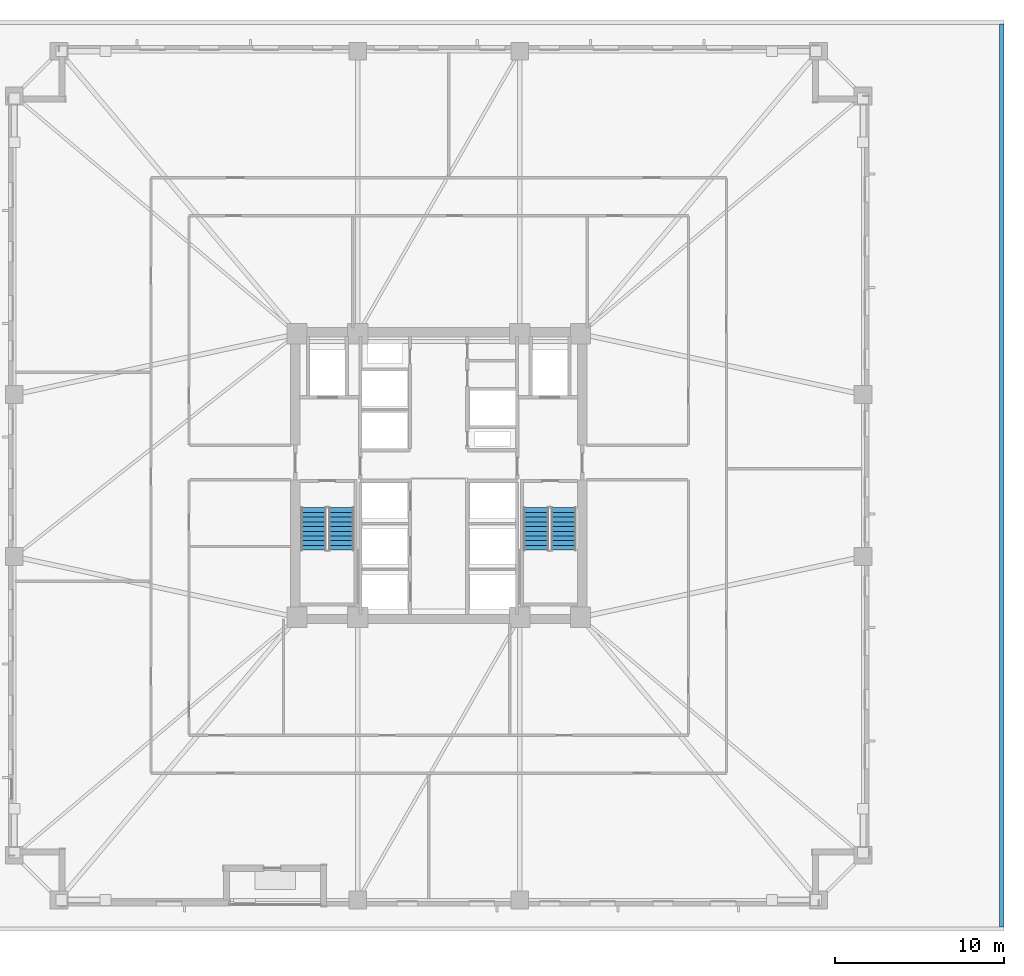
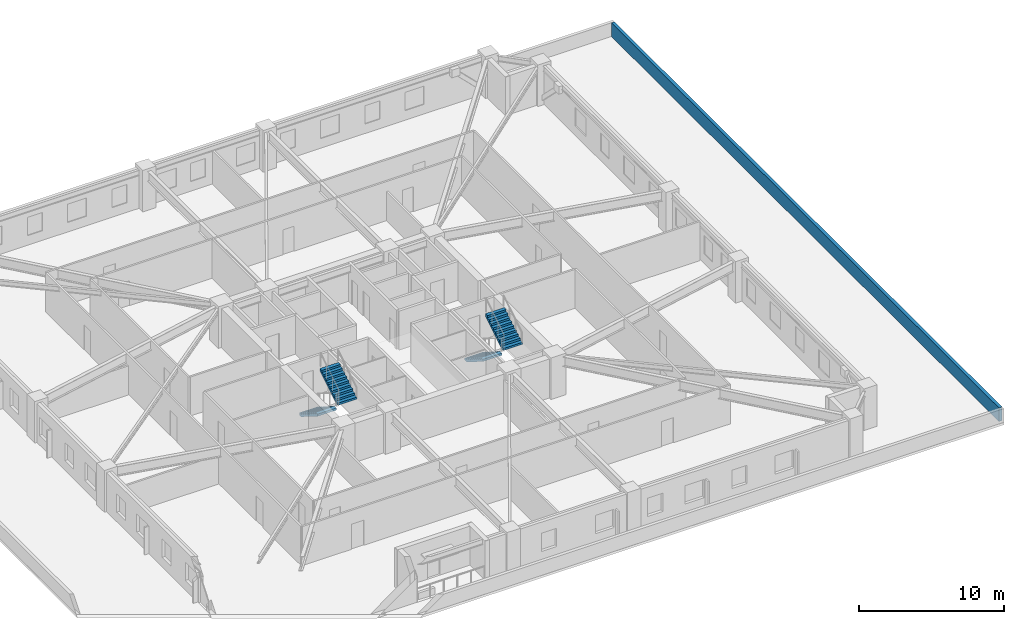
# One storey, part 7 of 12: 4 stair flights, 1 wall, 2 elements without a shape of their own.
"""IFC4 building model written with IfcOpenShell, lengths in metres."""

from ifc_helpers import new_model, si_unit, direction, frame, frame_2d, origin, place, context, subcontext, project, spatial, polyline, rectangle, outline, extrude, material, layer, layer_set, type_object, element, aggregate, save


model = new_model("IFC4")

# Units and contexts
model_context = context("Model", 3, precision=1e-05, world=origin(), true_north=direction((0.0, 1.0)))
body_context = subcontext(model_context, "Body", "Model", "MODEL_VIEW")
ifc_project = project(units=[si_unit("LENGTHUNIT", "METRE"), si_unit("AREAUNIT", "SQUARE_METRE"), si_unit("VOLUMEUNIT", "CUBIC_METRE"), si_unit("PLANEANGLEUNIT", "RADIAN"), si_unit("MASSUNIT", "GRAM", prefix="KILO")], contexts=[model_context])

# Site, building, storey
site_placement = place(None, origin())
site = spatial("IfcSite", under=ifc_project, at=site_placement, CompositionType="ELEMENT")
building_placement = place(site_placement, origin())
building = spatial("IfcBuilding", under=site, at=building_placement, Name="Cairnveth Concourse Tower", CompositionType="ELEMENT")
storey_placement = place(building_placement, frame((0.0, 0.0, 23.5)))
storey = spatial("IfcBuildingStorey", under=building, at=storey_placement, Name="L05", CompositionType="ELEMENT", Elevation=23.5)

# Wall
ifc_material_1 = material(Name="Hawthorn Red-Ochre Fired Clay Brick Masonry", Category="masonry")
ifc_layer = layer(ifc_material_1, 0.25)
ifc_layer_set = layer_set([ifc_layer], Name="Hawthorn Red-Ochre Fired Clay Brick Masonry")
wall_type = type_object("IfcWallType", Name="ROOF MASONRY PARAPET WALL 250", PredefinedType="PARAPET", material=ifc_layer_set)
wall_placement = place(storey_placement, frame((85.3701171875, 65.75, 0.0), z_axis=(0.0, 0.0, 1.0), x_axis=(0.0, -1.0, 0.0)))
element("IfcWall", 1, at=wall_placement, inside=storey, type_object=wall_type, Name="Exterior Wall EP-L05-POD-E", PredefinedType="PARAPET", context=body_context, shape_type="SweptSolid", body=[
    extrude(rectangle(XDim=53.5, YDim=0.25, at=frame_2d((26.75, 0.0))), origin(), (0.0, 0.0, 1.0), 1.14990234375),
])

# Stair, stair flights
ifc_material_2 = material(Name="Precast concrete N50 (50 MPa)", Category="concrete")
stair_type = type_object("IfcStairType", Name="CORE DOG-LEG FIRE STAIR 1500", PredefinedType="HALF_TURN_STAIR", material=ifc_material_2)
stair_1_placement = place(storey_placement, origin())
stair_1 = element("IfcStair", 2, at=stair_1_placement, inside=storey, type_object=stair_type, Name="L05 Fire-Isolated Stair ST-1", PredefinedType="HALF_TURN_STAIR")
stair_flight_type = type_object("IfcStairFlightType", Name="PRECAST CONCRETE STAIR FLIGHT 1500", PredefinedType="STRAIGHT", material=ifc_material_2)
stair_flight_1_placement = place(storey_placement, frame((44.590087890625, 37.10009765625, 0.0), z_axis=(0.0, 0.0, 1.0), x_axis=(0.0, -1.0, 0.0)))
stair_flight_1 = element("IfcStairFlight", 3, at=stair_flight_1_placement, type_object=stair_flight_type, Name="ST-1 flight 1", NumberOfRisers=10, NumberOfTreads=9, PredefinedType="STRAIGHT", RiserHeight=0.175, TreadLength=0.28, context=body_context, shape_type="SweptSolid", body=[
    extrude(outline(polyline([(0.0, 0.0), (0.0, 0.175048828125), (0.280029296875, 0.175048828125), (0.280029296875, 0.35009765625), (0.56005859375, 0.35009765625), (0.56005859375, 0.52490234375), (0.840087890625, 0.52490234375), (0.840087890625, 0.699951171875), (1.1201171875, 0.699951171875), (1.1201171875, 0.875), (1.39990234375, 0.875), (1.39990234375, 1.050048828125), (1.679931640625, 1.050048828125), (1.679931640625, 1.22509765625), (1.9599609375, 1.22509765625), (1.9599609375, 1.39990234375), (2.239990234375, 1.39990234375), (2.239990234375, 1.574951171875), (2.52001953125, 1.574951171875), (2.52001953125, 1.75), (2.52001953125, 1.398193359375), (0.28271484375, 0.0), (0.0, 0.0)])), frame((0.0, 0.75, 0.0), z_axis=(0.0, -1.0, 0.0), x_axis=(1.0, 0.0, 0.0)), (0.0, 0.0, 1.0), 1.5),
])
stair_flight_2_placement = place(storey_placement, frame((46.22998046875, 34.580078125, 1.75), z_axis=(0.0, 0.0, 1.0), x_axis=(0.0, 1.0, 0.0)))
stair_flight_2 = element("IfcStairFlight", 4, at=stair_flight_2_placement, type_object=stair_flight_type, Name="ST-1 flight 2", NumberOfRisers=10, NumberOfTreads=9, PredefinedType="STRAIGHT", RiserHeight=0.175, TreadLength=0.28, context=body_context, shape_type="SweptSolid", body=[
    extrude(outline(polyline([(0.0, 0.0), (0.0, 0.175048828125), (0.280029296875, 0.175048828125), (0.280029296875, 0.35009765625), (0.56005859375, 0.35009765625), (0.56005859375, 0.52490234375), (0.840087890625, 0.52490234375), (0.840087890625, 0.699951171875), (1.1201171875, 0.699951171875), (1.1201171875, 0.875), (1.39990234375, 0.875), (1.39990234375, 1.050048828125), (1.679931640625, 1.050048828125), (1.679931640625, 1.22509765625), (1.9599609375, 1.22509765625), (1.9599609375, 1.39990234375), (2.239990234375, 1.39990234375), (2.239990234375, 1.574951171875), (2.52001953125, 1.574951171875), (2.52001953125, 1.75), (2.52001953125, 1.398193359375), (0.28271484375, 0.0), (0.0, 0.0)])), frame((0.0, 0.75, 0.0), z_axis=(0.0, -1.0, 0.0), x_axis=(1.0, 0.0, 0.0)), (0.0, 0.0, 1.0), 1.5),
])
aggregate(stair_1, [stair_flight_1, stair_flight_2])

stair_2_placement = place(storey_placement, origin())
stair_2 = element("IfcStair", 5, at=stair_2_placement, inside=storey, type_object=stair_type, Name="L05 Fire-Isolated Stair ST-2", PredefinedType="HALF_TURN_STAIR")
stair_flight_3_placement = place(storey_placement, frame((57.77001953125, 37.10009765625, 0.0), z_axis=(0.0, 0.0, 1.0), x_axis=(0.0, -1.0, 0.0)))
stair_flight_3 = element("IfcStairFlight", 6, at=stair_flight_3_placement, type_object=stair_flight_type, Name="ST-2 flight 1", NumberOfRisers=10, NumberOfTreads=9, PredefinedType="STRAIGHT", RiserHeight=0.175, TreadLength=0.28, context=body_context, shape_type="SweptSolid", body=[
    extrude(outline(polyline([(0.0, 0.0), (0.0, 0.175048828125), (0.280029296875, 0.175048828125), (0.280029296875, 0.35009765625), (0.56005859375, 0.35009765625), (0.56005859375, 0.52490234375), (0.840087890625, 0.52490234375), (0.840087890625, 0.699951171875), (1.1201171875, 0.699951171875), (1.1201171875, 0.875), (1.39990234375, 0.875), (1.39990234375, 1.050048828125), (1.679931640625, 1.050048828125), (1.679931640625, 1.22509765625), (1.9599609375, 1.22509765625), (1.9599609375, 1.39990234375), (2.239990234375, 1.39990234375), (2.239990234375, 1.574951171875), (2.52001953125, 1.574951171875), (2.52001953125, 1.75), (2.52001953125, 1.398193359375), (0.28271484375, 0.0), (0.0, 0.0)])), frame((0.0, 0.75, 0.0), z_axis=(0.0, -1.0, 0.0), x_axis=(1.0, 0.0, 0.0)), (0.0, 0.0, 1.0), 1.5),
])
stair_flight_4_placement = place(storey_placement, frame((59.409912109375, 34.580078125, 1.75), z_axis=(0.0, 0.0, 1.0), x_axis=(0.0, 1.0, 0.0)))
stair_flight_4 = element("IfcStairFlight", 7, at=stair_flight_4_placement, type_object=stair_flight_type, Name="ST-2 flight 2", NumberOfRisers=10, NumberOfTreads=9, PredefinedType="STRAIGHT", RiserHeight=0.175, TreadLength=0.28, context=body_context, shape_type="SweptSolid", body=[
    extrude(outline(polyline([(0.0, 0.0), (0.0, 0.175048828125), (0.280029296875, 0.175048828125), (0.280029296875, 0.35009765625), (0.56005859375, 0.35009765625), (0.56005859375, 0.52490234375), (0.840087890625, 0.52490234375), (0.840087890625, 0.699951171875), (1.1201171875, 0.699951171875), (1.1201171875, 0.875), (1.39990234375, 0.875), (1.39990234375, 1.050048828125), (1.679931640625, 1.050048828125), (1.679931640625, 1.22509765625), (1.9599609375, 1.22509765625), (1.9599609375, 1.39990234375), (2.239990234375, 1.39990234375), (2.239990234375, 1.574951171875), (2.52001953125, 1.574951171875), (2.52001953125, 1.75), (2.52001953125, 1.398193359375), (0.28271484375, 0.0), (0.0, 0.0)])), frame((0.0, 0.75, 0.0), z_axis=(0.0, -1.0, 0.0), x_axis=(1.0, 0.0, 0.0)), (0.0, 0.0, 1.0), 1.5),
])
aggregate(stair_2, [stair_flight_3, stair_flight_4])

save(model, "model.ifc")
